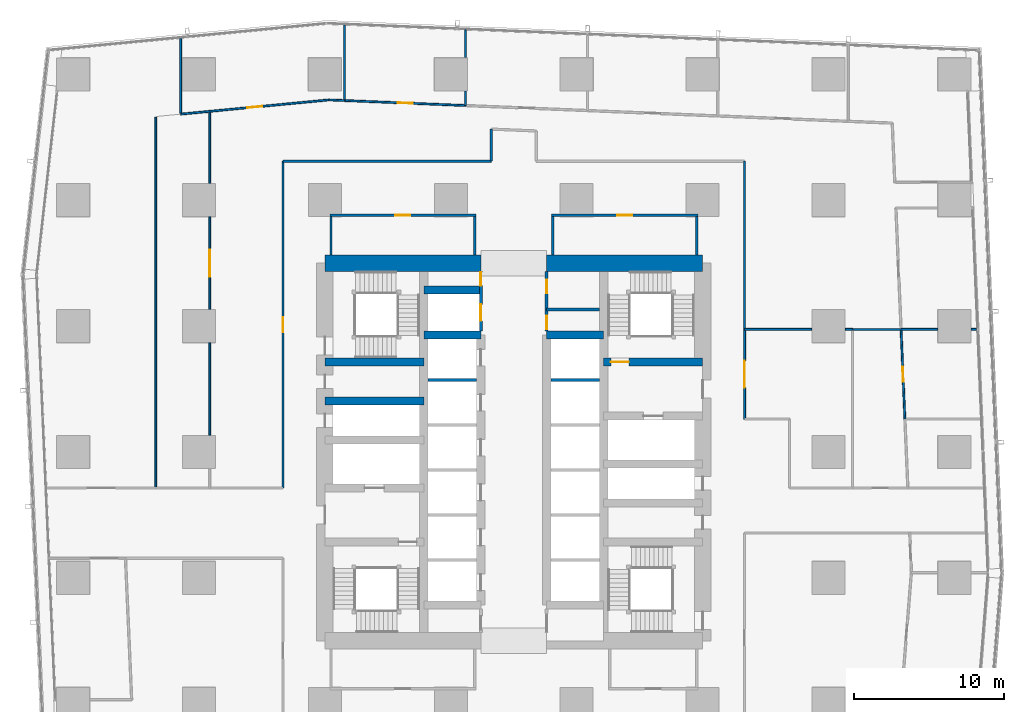
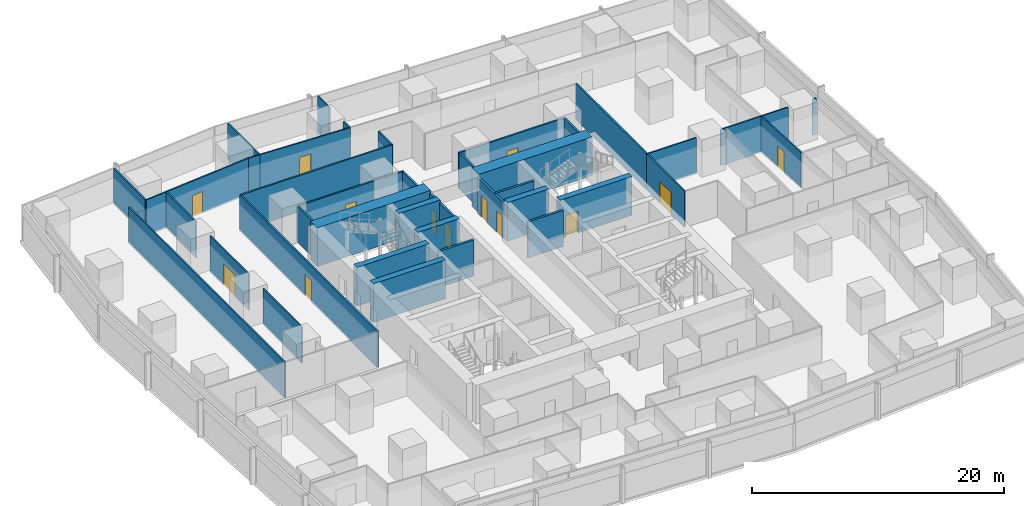
# One storey, part 34 of 44: 41 walls, 13 doors, 13 openings.
"""IFC4 building model written with IfcOpenShell, lengths in metres."""

from ifc_helpers import new_model, si_unit, direction, frame, frame_2d, origin, place, context, subcontext, project, spatial, rectangle, extrude, material, layer, layer_set, type_object, element, fill, save


model = new_model("IFC4")

# Units and contexts
model_context = context("Model", 3, precision=1e-05, world=origin(), true_north=direction((0.0, 1.0)))
body_context = subcontext(model_context, "Body", "Model", "MODEL_VIEW")
ifc_project = project(units=[si_unit("LENGTHUNIT", "METRE"), si_unit("AREAUNIT", "SQUARE_METRE"), si_unit("VOLUMEUNIT", "CUBIC_METRE"), si_unit("PLANEANGLEUNIT", "RADIAN"), si_unit("MASSUNIT", "GRAM", prefix="KILO")], contexts=[model_context])

# Site, building, storey
site_placement = place(None, origin())
site = spatial("IfcSite", under=ifc_project, at=site_placement, CompositionType="ELEMENT")
building_placement = place(site_placement, origin())
building = spatial("IfcBuilding", under=site, at=building_placement, Name="Rekha Terrace Tower", CompositionType="ELEMENT")
storey_placement = place(building_placement, frame((0.0, 0.0, 62.89990234375)))
storey = spatial("IfcBuildingStorey", under=building, at=storey_placement, Name="L15", CompositionType="ELEMENT", Elevation=62.89990234375)

# Walls
ifc_material_1 = material(Name="Concrete M70", Category="concrete")
ifc_layer_1 = layer(ifc_material_1, 0.550048828125)
ifc_layer_set_1 = layer_set([ifc_layer_1], Name="Concrete M70")
wall_type_1 = type_object("IfcWallType", Name="CI1 550 core internal shear wall", PredefinedType="SHEAR", material=ifc_layer_set_1)
for number, where, z_axis, x_axis, name in (
    (1, (31.800048828125, 41.39990234375, 0.0), (0.0, 0.0, 1.0), (1.0, 0.0, 0.0), "Core wall Y414W L15"),
    (2, (31.800048828125, 44.39990234375, 0.0), (0.0, 0.0, 1.0), (1.0, 0.0, 0.0), "Core wall Y444W L15"),
    (3, (40.0, 41.39990234375, 0.0), (0.0, 0.0, 1.0), (1.0, 0.0, 0.0), "Core wall Y414E L15"),
):
    element("IfcWall", number, at=place(storey_placement, frame(where, z_axis=z_axis, x_axis=x_axis)), inside=storey, type_object=wall_type_1, Name=name, PredefinedType="SHEAR", context=body_context, shape_type="SweptSolid", body=[
        extrude(rectangle(XDim=3.800048828125, YDim=0.550048828125, at=frame_2d((1.89990234375, 0.0))), origin(), (0.0, 0.0, 1.0), 3.75),
    ])
for number, where, z_axis, x_axis, name in (
    (4, (25.199951171875, 37.0, 0.0), (0.0, 0.0, 1.0), (1.0, 0.0, 0.0), "Core wall Y370W L15"),
    (5, (25.199951171875, 39.60009765625, 0.0), (0.0, 0.0, 1.0), (1.0, 0.0, 0.0), "Core wall Y396W L15"),
):
    element("IfcWall", number, at=place(storey_placement, frame(where, z_axis=z_axis, x_axis=x_axis)), inside=storey, type_object=wall_type_1, Name=name, PredefinedType="SHEAR", context=body_context, shape_type="SweptSolid", body=[
        extrude(rectangle(XDim=6.60009765625, YDim=0.550048828125, at=frame_2d((3.300048828125, 0.0))), origin(), (0.0, 0.0, 1.0), 3.75),
    ])

# Wall, opening, door
wall_1_placement = place(storey_placement, frame((43.800048828125, 39.60009765625, 0.0), z_axis=(0.0, 0.0, 1.0), x_axis=(1.0, 0.0, 0.0)))
wall_1 = element("IfcWall", 6, at=wall_1_placement, inside=storey, type_object=wall_type_1, Name="Core wall Y396E L15", PredefinedType="SHEAR", context=body_context, shape_type="SweptSolid", body=[
    extrude(rectangle(XDim=6.599853515625, YDim=0.550048828125, at=frame_2d((3.2998046875, 0.0))), origin(), (0.0, 0.0, 1.0), 3.75),
])
opening_1_placement = place(wall_1_placement, frame((0.47509765625, 0.0, 0.0)))
opening_1 = element("IfcOpeningElement", 7, at=opening_1_placement, cuts=wall_1, Name="Opening D1", PredefinedType="OPENING", context=body_context, shape_type="SweptSolid", body=[
    extrude(rectangle(XDim=1.199951171875, YDim=2.10009765625, at=frame_2d((0.60009765625, 1.050048828125))), frame((0.0, 0.284912109375, 0.0), z_axis=(0.0, -1.0, 0.0), x_axis=(1.0, 0.0, 0.0)), (0.0, 0.0, 1.0), 0.570068359375),
])
ifc_material_2 = material(Name="Steel fire door", Category="steel")
door_type_1 = type_object("IfcDoorType", Name="D1 1200x2100 stair fire door", OperationType="SINGLE_SWING_RIGHT", PredefinedType="DOOR", material=ifc_material_2)
door_1_placement = place(opening_1_placement, origin())
door_1 = element("IfcDoor", 8, at=door_1_placement, inside=storey, type_object=door_type_1, Name="Stair ST2 door L15", OperationType="SINGLE_SWING_RIGHT", OverallHeight=2.10009765625, OverallWidth=1.199951171875, PredefinedType="DOOR", context=body_context, shape_type="SweptSolid", body=[
    extrude(rectangle(XDim=1.199951171875, YDim=2.10009765625, at=frame_2d((0.60009765625, 1.050048828125))), frame((0.0, 0.02490234375, 0.0), z_axis=(0.0, -1.0, 0.0), x_axis=(1.0, 0.0, 0.0)), (0.0, 0.0, 1.0), 0.050048828125),
])
fill(opening_1, door_1)

# Walls
ifc_layer_2 = layer(ifc_material_1, 1.10009765625)
ifc_layer_set_2 = layer_set([ifc_layer_2], Name="Concrete M70")
wall_type_2 = type_object("IfcWallType", Name="SW1 1100 core outer shear wall", PredefinedType="SHEAR", material=ifc_layer_set_2)
wall_2_placement = place(storey_placement, frame((25.199951171875, 46.199951171875, 0.0), z_axis=(0.0, 0.0, 1.0), x_axis=(1.0, 0.0, 0.0)))
element("IfcWall", 9, at=wall_2_placement, inside=storey, type_object=wall_type_2, Name="Core wall N1 L15", PredefinedType="SHEAR", context=body_context, shape_type="SweptSolid", body=[
    extrude(rectangle(XDim=10.400146484375, YDim=1.10009765625, at=frame_2d((5.2001953125, 0.0))), origin(), (0.0, 0.0, 1.0), 3.75),
])
wall_3_placement = place(storey_placement, frame((40.0, 46.199951171875, 0.0), z_axis=(0.0, 0.0, 1.0), x_axis=(1.0, 0.0, 0.0)))
element("IfcWall", 10, at=wall_3_placement, inside=storey, type_object=wall_type_2, Name="Core wall N2 L15", PredefinedType="SHEAR", context=body_context, shape_type="SweptSolid", body=[
    extrude(rectangle(XDim=10.39990234375, YDim=1.10009765625, at=frame_2d((5.199951171875, 0.0))), origin(), (0.0, 0.0, 1.0), 3.75),
])

# Wall, opening, door
ifc_material_3 = material(Name="Concrete block masonry, 1 hour", Category="masonry")
ifc_layer_3 = layer(ifc_material_3, 0.14990234375)
ifc_layer_set_3 = layer_set([ifc_layer_3], Name="Concrete block masonry, 1 hour")
wall_type_3 = type_object("IfcWallType", Name="WP2 150 tenancy partition", PredefinedType="PARTITIONING", material=ifc_layer_set_3)
wall_4_placement = place(storey_placement, frame((40.324951171875, 49.39990234375, 0.0), z_axis=(0.0, 0.0, 1.0), x_axis=(1.0, 0.0, 0.0)))
wall_4 = element("IfcWall", 11, at=wall_4_placement, inside=storey, type_object=wall_type_3, Name="Women's WC wall L15", PredefinedType="PARTITIONING", context=body_context, shape_type="SweptSolid", body=[
    extrude(rectangle(XDim=9.75, YDim=0.14990234375, at=frame_2d((4.875, 0.0))), origin(), (0.0, 0.0, 1.0), 3.5),
])
opening_2_placement = place(wall_4_placement, frame((4.375, 0.0, 0.0)))
opening_2 = element("IfcOpeningElement", 12, at=opening_2_placement, cuts=wall_4, Name="Opening D3", PredefinedType="OPENING", context=body_context, shape_type="SweptSolid", body=[
    extrude(rectangle(XDim=1.0, YDim=2.10009765625, at=frame_2d((0.5, 1.050048828125))), frame((0.0, 0.0849609375, 0.0), z_axis=(0.0, -1.0, 0.0), x_axis=(1.0, 0.0, 0.0)), (0.0, 0.0, 1.0), 0.169921875),
])
ifc_material_4 = material(Name="Laminated timber fire door", Category="wood")
door_type_2 = type_object("IfcDoorType", Name="D3 1000x2100 WC door", OperationType="SINGLE_SWING_LEFT", PredefinedType="DOOR", material=ifc_material_4)
door_2_placement = place(opening_2_placement, origin())
door_2 = element("IfcDoor", 13, at=door_2_placement, inside=storey, type_object=door_type_2, Name="Door women's wc L15", OperationType="SINGLE_SWING_LEFT", OverallHeight=2.10009765625, OverallWidth=1.0, PredefinedType="DOOR", context=body_context, shape_type="SweptSolid", body=[
    extrude(rectangle(XDim=1.0, YDim=2.10009765625, at=frame_2d((0.5, 1.050048828125))), frame((0.0, 0.02490234375, 0.0), z_axis=(0.0, -1.0, 0.0), x_axis=(1.0, 0.0, 0.0)), (0.0, 0.0, 1.0), 0.050048828125),
])
fill(opening_2, door_2)

# Walls
for number, where, z_axis, x_axis, name in (
    (14, (40.39990234375, 46.75, 0.0), (0.0, 0.0, 1.0), (0.0, 1.0, 0.0), "Women's WC wall L15"),
    (15, (50.0, 46.75, 0.0), (0.0, 0.0, 1.0), (0.0, 1.0, 0.0), "Women's WC wall L15"),
):
    element("IfcWall", number, at=place(storey_placement, frame(where, z_axis=z_axis, x_axis=x_axis)), inside=storey, type_object=wall_type_3, Name=name, PredefinedType="PARTITIONING", context=body_context, shape_type="SweptSolid", body=[
        extrude(rectangle(XDim=2.574951171875, YDim=0.14990234375, at=frame_2d((1.28759765625, 0.0))), origin(), (0.0, 0.0, 1.0), 3.5),
    ])

# Wall, opening, door
wall_5_placement = place(storey_placement, frame((25.52490234375, 49.39990234375, 0.0), z_axis=(0.0, 0.0, 1.0), x_axis=(1.0, 0.0, 0.0)))
wall_5 = element("IfcWall", 16, at=wall_5_placement, inside=storey, type_object=wall_type_3, Name="Women's WC wall L15", PredefinedType="PARTITIONING", context=body_context, shape_type="SweptSolid", body=[
    extrude(rectangle(XDim=9.75, YDim=0.14990234375, at=frame_2d((4.875, 0.0))), origin(), (0.0, 0.0, 1.0), 3.5),
])
opening_3_placement = place(wall_5_placement, frame((4.375, 0.0, 0.0)))
opening_3 = element("IfcOpeningElement", 17, at=opening_3_placement, cuts=wall_5, Name="Opening D3", PredefinedType="OPENING", context=body_context, shape_type="SweptSolid", body=[
    extrude(rectangle(XDim=1.0, YDim=2.10009765625, at=frame_2d((0.5, 1.050048828125))), frame((0.0, 0.0849609375, 0.0), z_axis=(0.0, -1.0, 0.0), x_axis=(1.0, 0.0, 0.0)), (0.0, 0.0, 1.0), 0.169921875),
])
door_3_placement = place(opening_3_placement, origin())
door_3 = element("IfcDoor", 18, at=door_3_placement, inside=storey, type_object=door_type_2, Name="Door women's wc L15", OperationType="SINGLE_SWING_LEFT", OverallHeight=2.10009765625, OverallWidth=1.0, PredefinedType="DOOR", context=body_context, shape_type="SweptSolid", body=[
    extrude(rectangle(XDim=1.0, YDim=2.10009765625, at=frame_2d((0.5, 1.050048828125))), frame((0.0, 0.02490234375, 0.0), z_axis=(0.0, -1.0, 0.0), x_axis=(1.0, 0.0, 0.0)), (0.0, 0.0, 1.0), 0.050048828125),
])
fill(opening_3, door_3)

# Walls
for number, where, z_axis, x_axis, name in (
    (19, (25.60009765625, 46.75, 0.0), (0.0, 0.0, 1.0), (0.0, 1.0, 0.0), "Women's WC wall L15"),
    (20, (35.199951171875, 46.75, 0.0), (0.0, 0.0, 1.0), (0.0, 1.0, 0.0), "Women's WC wall L15"),
):
    element("IfcWall", number, at=place(storey_placement, frame(where, z_axis=z_axis, x_axis=x_axis)), inside=storey, type_object=wall_type_3, Name=name, PredefinedType="PARTITIONING", context=body_context, shape_type="SweptSolid", body=[
        extrude(rectangle(XDim=2.574951171875, YDim=0.14990234375, at=frame_2d((1.28759765625, 0.0))), origin(), (0.0, 0.0, 1.0), 3.5),
    ])
wall_6_placement = place(storey_placement, frame((60.39990234375, 41.781005859375, 0.0), z_axis=(0.0, 0.0, 1.0), x_axis=(1.0, 0.0, 0.0)))
element("IfcWall", 21, at=wall_6_placement, inside=storey, type_object=wall_type_3, Name="Partition L15-O2", PredefinedType="PARTITIONING", context=body_context, shape_type="SweptSolid", body=[
    extrude(rectangle(XDim=3.239013671875, YDim=0.14990234375, at=frame_2d((1.61962890625, 0.0))), origin(), (0.0, 0.0, 1.0), 3.5),
])
wall_7_placement = place(storey_placement, frame((53.199951171875, 41.781982421875, 0.0), z_axis=(0.0, 0.0, 1.0), x_axis=(0.0, 1.0, 0.0)))
element("IfcWall", 22, at=wall_7_placement, inside=storey, type_object=wall_type_3, Name="Partition L15-O3", PredefinedType="PARTITIONING", context=body_context, shape_type="SweptSolid", body=[
    extrude(rectangle(XDim=11.218017578125, YDim=0.14990234375, at=frame_2d((5.60888671875, 0.0))), origin(), (0.0, 0.0, 1.0), 3.5),
])
wall_8_placement = place(storey_placement, frame((36.300048828125, 55.14208984375, 0.0), z_axis=(0.0, 0.0, 1.0), x_axis=(0.0, -1.0, 0.0)))
element("IfcWall", 23, at=wall_8_placement, inside=storey, type_object=wall_type_3, Name="Partition L15-O3", PredefinedType="PARTITIONING", context=body_context, shape_type="SweptSolid", body=[
    extrude(rectangle(XDim=2.14208984375, YDim=0.14990234375, at=frame_2d((1.071044921875, 0.0))), origin(), (0.0, 0.0, 1.0), 3.5),
])
wall_9_placement = place(storey_placement, frame((36.300048828125, 53.0, 0.0), z_axis=(0.0, 0.0, 1.0), x_axis=(-1.0, 0.0, 0.0)))
element("IfcWall", 24, at=wall_9_placement, inside=storey, type_object=wall_type_3, Name="Partition L15-O3", PredefinedType="PARTITIONING", context=body_context, shape_type="SweptSolid", body=[
    extrude(rectangle(XDim=13.900146484375, YDim=0.14990234375, at=frame_2d((6.9501953125, 0.0))), origin(), (0.0, 0.0, 1.0), 3.5),
])

# Wall, opening, door
wall_10_placement = place(storey_placement, frame((22.39990234375, 53.0, 0.0), z_axis=(0.0, 0.0, 1.0), x_axis=(0.0, -1.0, 0.0)))
wall_10 = element("IfcWall", 25, at=wall_10_placement, inside=storey, type_object=wall_type_3, Name="Partition L15-O3", PredefinedType="PARTITIONING", context=body_context, shape_type="SweptSolid", body=[
    extrude(rectangle(XDim=21.800048828125, YDim=0.14990234375, at=frame_2d((10.89990234375, 0.0))), origin(), (0.0, 0.0, 1.0), 3.5),
])
opening_4_placement = place(wall_10_placement, frame((10.39990234375, 0.0, 0.0)))
opening_4 = element("IfcOpeningElement", 26, at=opening_4_placement, cuts=wall_10, Name="Opening D9", PredefinedType="OPENING", context=body_context, shape_type="SweptSolid", body=[
    extrude(rectangle(XDim=1.0, YDim=2.10009765625, at=frame_2d((0.5, 1.050048828125))), frame((0.0, 0.0849609375, 0.0), z_axis=(0.0, -1.0, 0.0), x_axis=(1.0, 0.0, 0.0)), (0.0, 0.0, 1.0), 0.169921875),
])
ifc_material_5 = material(Name="Timber fire door", Category="wood")
door_type_3 = type_object("IfcDoorType", Name="D9 1000x2100 office door", OperationType="SINGLE_SWING_LEFT", PredefinedType="DOOR", material=ifc_material_5)
door_4_placement = place(opening_4_placement, origin())
door_4 = element("IfcDoor", 27, at=door_4_placement, inside=storey, type_object=door_type_3, Name="Door open-plan office L15", OperationType="SINGLE_SWING_LEFT", OverallHeight=2.10009765625, OverallWidth=1.0, PredefinedType="DOOR", context=body_context, shape_type="SweptSolid", body=[
    extrude(rectangle(XDim=1.0, YDim=2.10009765625, at=frame_2d((0.5, 1.050048828125))), frame((0.0, 0.02490234375, 0.0), z_axis=(0.0, -1.0, 0.0), x_axis=(1.0, 0.0, 0.0)), (0.0, 0.0, 1.0), 0.050048828125),
])
fill(opening_4, door_4)

ifc_material_6 = material(Name="Two layers of fire-rated gypsum board each side on steel studs, acoustic quilt, 1 hour", Category="steel")
ifc_layer_4 = layer(ifc_material_6, 0.125)
ifc_layer_set_4 = layer_set([ifc_layer_4], Name="Two layers of fire-rated gypsum board each side on steel studs, acoustic quilt, 1 hour")
wall_type_4 = type_object("IfcWallType", Name="WP3 125 office partition", PredefinedType="PARTITIONING", material=ifc_layer_set_4)
wall_11_placement = place(storey_placement, frame((63.89404296875, 35.797119140625, 0.0), z_axis=(0.0, 0.0, 1.0), x_axis=(-0.042596960129, 0.999092337568, 0.0)))
wall_11 = element("IfcWall", 28, at=wall_11_placement, inside=storey, type_object=wall_type_4, Name="Partition L15-11", PredefinedType="PARTITIONING", context=body_context, shape_type="SweptSolid", body=[
    extrude(rectangle(XDim=5.9892578125, YDim=0.125, at=frame_2d((2.99462890625, 0.0))), origin(), (0.0, 0.0, 1.0), 3.5),
])
opening_5_placement = place(wall_11_placement, frame((2.4951171875, 0.0, 0.0)))
opening_5 = element("IfcOpeningElement", 29, at=opening_5_placement, cuts=wall_11, Name="Opening D9", PredefinedType="OPENING", context=body_context, shape_type="SweptSolid", body=[
    extrude(rectangle(XDim=1.0, YDim=2.10009765625, at=frame_2d((0.5, 1.050048828125))), frame((0.0, 0.072509765625, 0.0), z_axis=(0.0, -1.0, 0.0), x_axis=(1.0, 0.0, 0.0)), (0.0, 0.0, 1.0), 0.14501953125),
])
door_5_placement = place(opening_5_placement, origin())
door_5 = element("IfcDoor", 30, at=door_5_placement, inside=storey, type_object=door_type_3, Name="Door office L15", OperationType="SINGLE_SWING_LEFT", OverallHeight=2.10009765625, OverallWidth=1.0, PredefinedType="DOOR", context=body_context, shape_type="SweptSolid", body=[
    extrude(rectangle(XDim=1.0, YDim=2.10009765625, at=frame_2d((0.5, 1.050048828125))), frame((0.0, 0.02490234375, 0.0), z_axis=(0.0, -1.0, 0.0), x_axis=(1.0, 0.0, 0.0)), (0.0, 0.0, 1.0), 0.050048828125),
])
fill(opening_5, door_5)

# Walls
wall_12_placement = place(storey_placement, frame((63.638916015625, 41.781005859375, 0.0), z_axis=(0.0, 0.0, 1.0), x_axis=(1.0, 0.0, 0.0)))
element("IfcWall", 31, at=wall_12_placement, inside=storey, type_object=wall_type_4, Name="Partition L15-11", PredefinedType="PARTITIONING", context=body_context, shape_type="SweptSolid", body=[
    extrude(rectangle(XDim=2.441162109375, YDim=0.125, at=frame_2d((1.220703125, 0.0))), origin(), (0.0, 0.0, 1.0), 3.5),
])
wall_13_placement = place(storey_placement, frame((68.320068359375, 41.781005859375, 0.0), z_axis=(0.0, 0.0, 1.0), x_axis=(1.0, 0.0, 0.0)))
element("IfcWall", 32, at=wall_13_placement, inside=storey, type_object=wall_type_4, Name="Partition L15-11", PredefinedType="PARTITIONING", context=body_context, shape_type="SweptSolid", body=[
    extrude(rectangle(XDim=0.343017578125, YDim=0.125, at=frame_2d((0.17138671875, 0.0))), origin(), (0.0, 0.0, 1.0), 3.5),
])
wall_14_placement = place(storey_placement, frame((53.199951171875, 41.781005859375, 0.0), z_axis=(0.0, 0.0, 1.0), x_axis=(1.0, 0.0, 0.0)))
element("IfcWall", 33, at=wall_14_placement, inside=storey, type_object=wall_type_4, Name="Partition L15-12", PredefinedType="PARTITIONING", context=body_context, shape_type="SweptSolid", body=[
    extrude(rectangle(XDim=4.47998046875, YDim=0.125, at=frame_2d((2.239990234375, 0.0))), origin(), (0.0, 0.0, 1.0), 3.5),
])
wall_15_placement = place(storey_placement, frame((59.919921875, 41.781005859375, 0.0), z_axis=(0.0, 0.0, 1.0), x_axis=(1.0, 0.0, 0.0)))
element("IfcWall", 34, at=wall_15_placement, inside=storey, type_object=wall_type_4, Name="Partition L15-12", PredefinedType="PARTITIONING", context=body_context, shape_type="SweptSolid", body=[
    extrude(rectangle(XDim=0.47998046875, YDim=0.125, at=frame_2d((0.239990234375, 0.0))), origin(), (0.0, 0.0, 1.0), 3.5),
])

# Wall, opening, door
wall_16_placement = place(storey_placement, frame((53.199951171875, 35.800048828125, 0.0), z_axis=(0.0, 0.0, 1.0), x_axis=(0.0, 1.0, 0.0)))
wall_16 = element("IfcWall", 35, at=wall_16_placement, inside=storey, type_object=wall_type_4, Name="Partition L15-12", PredefinedType="PARTITIONING", context=body_context, shape_type="SweptSolid", body=[
    extrude(rectangle(XDim=5.98095703125, YDim=0.125, at=frame_2d((2.990478515625, 0.0))), origin(), (0.0, 0.0, 1.0), 3.5),
])
opening_6_placement = place(wall_16_placement, frame((2.090087890625, 0.0, 0.0)))
opening_6 = element("IfcOpeningElement", 36, at=opening_6_placement, cuts=wall_16, Name="Opening D8", PredefinedType="OPENING", context=body_context, shape_type="SweptSolid", body=[
    extrude(rectangle(XDim=1.800048828125, YDim=2.10009765625, at=frame_2d((0.89990234375, 1.050048828125))), frame((0.0, 0.072509765625, 0.0), z_axis=(0.0, -1.0, 0.0), x_axis=(1.0, 0.0, 0.0)), (0.0, 0.0, 1.0), 0.14501953125),
])
door_type_4 = type_object("IfcDoorType", Name="D8 1800x2100 double leaf door", OperationType="DOUBLE_DOOR_SINGLE_SWING", PredefinedType="DOOR", material=ifc_material_5)
door_6_placement = place(opening_6_placement, origin())
door_6 = element("IfcDoor", 37, at=door_6_placement, inside=storey, type_object=door_type_4, Name="Door reception L15", OperationType="DOUBLE_DOOR_SINGLE_SWING", OverallHeight=2.10009765625, OverallWidth=1.800048828125, PredefinedType="DOOR", context=body_context, shape_type="SweptSolid", body=[
    extrude(rectangle(XDim=1.800048828125, YDim=2.10009765625, at=frame_2d((0.89990234375, 1.050048828125))), frame((0.0, 0.02490234375, 0.0), z_axis=(0.0, -1.0, 0.0), x_axis=(1.0, 0.0, 0.0)), (0.0, 0.0, 1.0), 0.050048828125),
])
fill(opening_6, door_6)

# Walls
wall_17_placement = place(storey_placement, frame((34.583984375, 56.714111328125, 0.0), z_axis=(0.0, 0.0, 1.0), x_axis=(0.0, 1.0, 0.0)))
element("IfcWall", 38, at=wall_17_placement, inside=storey, type_object=wall_type_4, Name="Partition L15-17", PredefinedType="PARTITIONING", context=body_context, shape_type="SweptSolid", body=[
    extrude(rectangle(XDim=0.9658203125, YDim=0.125, at=frame_2d((0.48291015625, 0.0))), origin(), (0.0, 0.0, 1.0), 3.5),
])
wall_18_placement = place(storey_placement, frame((34.583984375, 59.919921875, 0.0), z_axis=(0.0, 0.0, 1.0), x_axis=(0.0, 1.0, 0.0)))
element("IfcWall", 39, at=wall_18_placement, inside=storey, type_object=wall_type_4, Name="Partition L15-17", PredefinedType="PARTITIONING", context=body_context, shape_type="SweptSolid", body=[
    extrude(rectangle(XDim=1.84814453125, YDim=0.125, at=frame_2d((0.924072265625, 0.0))), origin(), (0.0, 0.0, 1.0), 3.5),
])

# Wall, opening, door
wall_19_placement = place(storey_placement, frame((34.5830078125, 56.714111328125, 0.0), z_axis=(0.0, 0.0, 1.0), x_axis=(-0.999150320065, 0.041214535234, 0.0)))
wall_19 = element("IfcWall", 40, at=wall_19_placement, inside=storey, type_object=wall_type_4, Name="Partition L15-18", PredefinedType="PARTITIONING", context=body_context, shape_type="SweptSolid", body=[
    extrude(rectangle(XDim=8.079833984375, YDim=0.125, at=frame_2d((4.0400390625, 0.0))), origin(), (0.0, 0.0, 1.0), 3.5),
])
opening_7_placement = place(wall_19_placement, frame((3.5400390625, 0.0, 0.0)))
opening_7 = element("IfcOpeningElement", 41, at=opening_7_placement, cuts=wall_19, Name="Opening D9", PredefinedType="OPENING", context=body_context, shape_type="SweptSolid", body=[
    extrude(rectangle(XDim=1.0, YDim=2.10009765625, at=frame_2d((0.5, 1.050048828125))), frame((0.0, 0.072509765625, 0.0), z_axis=(0.0, -1.0, 0.0), x_axis=(1.0, 0.0, 0.0)), (0.0, 0.0, 1.0), 0.14501953125),
])
door_7_placement = place(opening_7_placement, origin())
door_7 = element("IfcDoor", 42, at=door_7_placement, inside=storey, type_object=door_type_3, Name="Door office L15", OperationType="SINGLE_SWING_LEFT", OverallHeight=2.10009765625, OverallWidth=1.0, PredefinedType="DOOR", context=body_context, shape_type="SweptSolid", body=[
    extrude(rectangle(XDim=1.0, YDim=2.10009765625, at=frame_2d((0.5, 1.050048828125))), frame((0.0, 0.02490234375, 0.0), z_axis=(0.0, -1.0, 0.0), x_axis=(1.0, 0.0, 0.0)), (0.0, 0.0, 1.0), 0.050048828125),
])
fill(opening_7, door_7)

# Walls
wall_20_placement = place(storey_placement, frame((26.510009765625, 57.047119140625, 0.0), z_axis=(0.0, 0.0, 1.0), x_axis=(0.0, 1.0, 0.0)))
element("IfcWall", 43, at=wall_20_placement, inside=storey, type_object=wall_type_4, Name="Partition L15-18", PredefinedType="PARTITIONING", context=body_context, shape_type="SweptSolid", body=[
    extrude(rectangle(XDim=5.02392578125, YDim=0.125, at=frame_2d((2.511962890625, 0.0))), origin(), (0.0, 0.0, 1.0), 3.5),
])
wall_21_placement = place(storey_placement, frame((15.572998046875, 56.201904296875, 0.0), z_axis=(0.0, 0.0, 1.0), x_axis=(0.0, 1.0, 0.0)))
element("IfcWall", 44, at=wall_21_placement, inside=storey, type_object=wall_type_4, Name="Partition L15-19", PredefinedType="PARTITIONING", context=body_context, shape_type="SweptSolid", body=[
    extrude(rectangle(XDim=4.97998046875, YDim=0.125, at=frame_2d((2.489990234375, 0.0))), origin(), (0.0, 0.0, 1.0), 3.5),
])
wall_22_placement = place(storey_placement, frame((26.509033203125, 57.047119140625, 0.0), z_axis=(0.0, 0.0, 1.0), x_axis=(-0.999152420527, 0.041163582868, 0.0)))
element("IfcWall", 45, at=wall_22_placement, inside=storey, type_object=wall_type_4, Name="Partition L15-19", PredefinedType="PARTITIONING", context=body_context, shape_type="SweptSolid", body=[
    extrude(rectangle(XDim=1.0439453125, YDim=0.125, at=frame_2d((0.52197265625, 0.0))), origin(), (0.0, 0.0, 1.0), 3.5),
])

# Wall, opening, door
wall_23_placement = place(storey_placement, frame((25.466064453125, 57.090087890625, 0.0), z_axis=(0.0, 0.0, 1.0), x_axis=(-0.995409839186, -0.09570398138, 0.0)))
wall_23 = element("IfcWall", 46, at=wall_23_placement, inside=storey, type_object=wall_type_4, Name="Partition L15-19", PredefinedType="PARTITIONING", context=body_context, shape_type="SweptSolid", body=[
    extrude(rectangle(XDim=9.938720703125, YDim=0.125, at=frame_2d((4.96923828125, 0.0))), origin(), (0.0, 0.0, 1.0), 3.5),
])
opening_8_placement = place(wall_23_placement, frame((4.468994140625, 0.0, 0.0)))
opening_8 = element("IfcOpeningElement", 47, at=opening_8_placement, cuts=wall_23, Name="Opening D9", PredefinedType="OPENING", context=body_context, shape_type="SweptSolid", body=[
    extrude(rectangle(XDim=1.0, YDim=2.10009765625, at=frame_2d((0.5, 1.050048828125))), frame((0.0, 0.072509765625, 0.0), z_axis=(0.0, -1.0, 0.0), x_axis=(1.0, 0.0, 0.0)), (0.0, 0.0, 1.0), 0.14501953125),
])
door_8_placement = place(opening_8_placement, origin())
door_8 = element("IfcDoor", 48, at=door_8_placement, inside=storey, type_object=door_type_3, Name="Door office L15", OperationType="SINGLE_SWING_LEFT", OverallHeight=2.10009765625, OverallWidth=1.0, PredefinedType="DOOR", context=body_context, shape_type="SweptSolid", body=[
    extrude(rectangle(XDim=1.0, YDim=2.10009765625, at=frame_2d((0.5, 1.050048828125))), frame((0.0, 0.02490234375, 0.0), z_axis=(0.0, -1.0, 0.0), x_axis=(1.0, 0.0, 0.0)), (0.0, 0.0, 1.0), 0.050048828125),
])
fill(opening_8, door_8)

# Walls
wall_24_placement = place(storey_placement, frame((13.9169921875, 55.9169921875, 0.0), z_axis=(0.0, 0.0, 1.0), x_axis=(0.0, -1.0, 0.0)))
element("IfcWall", 49, at=wall_24_placement, inside=storey, type_object=wall_type_4, Name="Partition L15-21", PredefinedType="PARTITIONING", context=body_context, shape_type="SweptSolid", body=[
    extrude(rectangle(XDim=24.717041015625, YDim=0.125, at=frame_2d((12.3583984375, 0.0))), origin(), (0.0, 0.0, 1.0), 3.5),
])
wall_25_placement = place(storey_placement, frame((17.51708984375, 56.262939453125, 0.0), z_axis=(0.0, 0.0, 1.0), x_axis=(0.0, -1.0, 0.0)))
element("IfcWall", 50, at=wall_25_placement, inside=storey, type_object=wall_type_4, Name="Partition L15-22", PredefinedType="PARTITIONING", context=body_context, shape_type="SweptSolid", body=[
    extrude(rectangle(XDim=4.742919921875, YDim=0.125, at=frame_2d((2.37158203125, 0.0))), origin(), (0.0, 0.0, 1.0), 3.5),
])

# Wall, opening, door
wall_26_placement = place(storey_placement, frame((17.51708984375, 49.280029296875, 0.0), z_axis=(0.0, 0.0, 1.0), x_axis=(0.0, -1.0, 0.0)))
wall_26 = element("IfcWall", 51, at=wall_26_placement, inside=storey, type_object=wall_type_4, Name="Partition L15-22", PredefinedType="PARTITIONING", context=body_context, shape_type="SweptSolid", body=[
    extrude(rectangle(XDim=6.159912109375, YDim=0.125, at=frame_2d((3.080078125, 0.0))), origin(), (0.0, 0.0, 1.0), 3.5),
])
opening_9_placement = place(wall_26_placement, frame((2.179931640625, 0.0, 0.0)))
opening_9 = element("IfcOpeningElement", 52, at=opening_9_placement, cuts=wall_26, Name="Opening D8", PredefinedType="OPENING", context=body_context, shape_type="SweptSolid", body=[
    extrude(rectangle(XDim=1.800048828125, YDim=2.10009765625, at=frame_2d((0.89990234375, 1.050048828125))), frame((0.0, 0.072509765625, 0.0), z_axis=(0.0, -1.0, 0.0), x_axis=(1.0, 0.0, 0.0)), (0.0, 0.0, 1.0), 0.14501953125),
])
door_9_placement = place(opening_9_placement, origin())
door_9 = element("IfcDoor", 53, at=door_9_placement, inside=storey, type_object=door_type_4, Name="Door storage room L15", OperationType="DOUBLE_DOOR_SINGLE_SWING", OverallHeight=2.10009765625, OverallWidth=1.800048828125, PredefinedType="DOOR", context=body_context, shape_type="SweptSolid", body=[
    extrude(rectangle(XDim=1.800048828125, YDim=2.10009765625, at=frame_2d((0.89990234375, 1.050048828125))), frame((0.0, 0.02490234375, 0.0), z_axis=(0.0, -1.0, 0.0), x_axis=(1.0, 0.0, 0.0)), (0.0, 0.0, 1.0), 0.050048828125),
])
fill(opening_9, door_9)

# Walls
wall_27_placement = place(storey_placement, frame((17.51708984375, 40.8798828125, 0.0), z_axis=(0.0, 0.0, 1.0), x_axis=(0.0, -1.0, 0.0)))
element("IfcWall", 54, at=wall_27_placement, inside=storey, type_object=wall_type_4, Name="Partition L15-22", PredefinedType="PARTITIONING", context=body_context, shape_type="SweptSolid", body=[
    extrude(rectangle(XDim=6.159912109375, YDim=0.125, at=frame_2d((3.080078125, 0.0))), origin(), (0.0, 0.0, 1.0), 3.5),
])
ifc_material_7 = material(Name="Solid concrete block masonry, 2 hour", Category="masonry")
ifc_layer_5 = layer(ifc_material_7, 0.199951171875)
ifc_layer_set_5 = layer_set([ifc_layer_5], Name="Solid concrete block masonry, 2 hour")
wall_type_5 = type_object("IfcWallType", Name="WS1 200 stair and shaft enclosure", PredefinedType="PARTITIONING", material=ifc_layer_set_5)
for number, where, z_axis, x_axis, name in (
    (55, (32.074951171875, 38.39990234375, 0.0), (0.0, 0.0, 1.0), (1.0, 0.0, 0.0), "Lift shaft divider L15"),
    (56, (40.27490234375, 38.39990234375, 0.0), (0.0, 0.0, 1.0), (1.0, 0.0, 0.0), "Lift shaft divider L15"),
):
    element("IfcWall", number, at=place(storey_placement, frame(where, z_axis=z_axis, x_axis=x_axis)), inside=storey, type_object=wall_type_5, Name=name, PredefinedType="PARTITIONING", context=body_context, shape_type="SweptSolid", body=[
        extrude(rectangle(XDim=3.25, YDim=0.199951171875, at=frame_2d((1.625, 0.0))), origin(), (0.0, 0.0, 1.0), 3.5),
    ])

# Wall, openings, doors
wall_28_placement = place(storey_placement, frame((40.0, 41.675048828125, 0.0), z_axis=(0.0, 0.0, 1.0), x_axis=(0.0, 1.0, 0.0)))
wall_28 = element("IfcWall", 57, at=wall_28_placement, inside=storey, type_object=wall_type_5, Name="Core partition elec L15", PredefinedType="PARTITIONING", context=body_context, shape_type="SweptSolid", body=[
    extrude(rectangle(XDim=3.974853515625, YDim=0.199951171875, at=frame_2d((1.9873046875, 0.0))), origin(), (0.0, 0.0, 1.0), 3.5),
])
opening_10_placement = place(wall_28_placement, frame((2.52490234375, 0.0, 0.0)))
opening_10 = element("IfcOpeningElement", 58, at=opening_10_placement, cuts=wall_28, Name="Opening D5", PredefinedType="OPENING", context=body_context, shape_type="SweptSolid", body=[
    extrude(rectangle(XDim=0.89990234375, YDim=2.10009765625, at=frame_2d((0.449951171875, 1.050048828125))), frame((0.0, 0.10986328125, 0.0), z_axis=(0.0, -1.0, 0.0), x_axis=(1.0, 0.0, 0.0)), (0.0, 0.0, 1.0), 0.219970703125),
])
opening_11_placement = place(wall_28_placement, frame((0.125, 0.0, 0.0)))
opening_11 = element("IfcOpeningElement", 59, at=opening_11_placement, cuts=wall_28, Name="Opening D5", PredefinedType="OPENING", context=body_context, shape_type="SweptSolid", body=[
    extrude(rectangle(XDim=0.89990234375, YDim=2.10009765625, at=frame_2d((0.449951171875, 1.050048828125))), frame((0.0, 0.10986328125, 0.0), z_axis=(0.0, -1.0, 0.0), x_axis=(1.0, 0.0, 0.0)), (0.0, 0.0, 1.0), 0.219970703125),
])
door_type_5 = type_object("IfcDoorType", Name="D5 900x2100 riser access door", OperationType="SINGLE_SWING_LEFT", PredefinedType="DOOR", material=ifc_material_2)
door_10_placement = place(opening_10_placement, origin())
door_10 = element("IfcDoor", 60, at=door_10_placement, inside=storey, type_object=door_type_5, Name="Door electrical room L15", OperationType="SINGLE_SWING_LEFT", OverallHeight=2.10009765625, OverallWidth=0.89990234375, PredefinedType="DOOR", context=body_context, shape_type="SweptSolid", body=[
    extrude(rectangle(XDim=0.89990234375, YDim=2.10009765625, at=frame_2d((0.449951171875, 1.050048828125))), frame((0.0, 0.02490234375, 0.0), z_axis=(0.0, -1.0, 0.0), x_axis=(1.0, 0.0, 0.0)), (0.0, 0.0, 1.0), 0.050048828125),
])
fill(opening_10, door_10)
door_11_placement = place(opening_11_placement, origin())
door_11 = element("IfcDoor", 61, at=door_11_placement, inside=storey, type_object=door_type_5, Name="Door mother's room L15", OperationType="SINGLE_SWING_LEFT", OverallHeight=2.10009765625, OverallWidth=0.89990234375, PredefinedType="DOOR", context=body_context, shape_type="SweptSolid", body=[
    extrude(rectangle(XDim=0.89990234375, YDim=2.10009765625, at=frame_2d((0.449951171875, 1.050048828125))), frame((0.0, 0.02490234375, 0.0), z_axis=(0.0, -1.0, 0.0), x_axis=(1.0, 0.0, 0.0)), (0.0, 0.0, 1.0), 0.050048828125),
])
fill(opening_11, door_11)

wall_29_placement = place(storey_placement, frame((35.60009765625, 41.675048828125, 0.0), z_axis=(0.0, 0.0, 1.0), x_axis=(0.0, 1.0, 0.0)))
wall_29 = element("IfcWall", 62, at=wall_29_placement, inside=storey, type_object=wall_type_5, Name="Core partition jansv L15", PredefinedType="PARTITIONING", context=body_context, shape_type="SweptSolid", body=[
    extrude(rectangle(XDim=3.974853515625, YDim=0.199951171875, at=frame_2d((1.9873046875, 0.0))), origin(), (0.0, 0.0, 1.0), 3.5),
])
opening_12_placement = place(wall_29_placement, frame((3.02490234375, 0.0, 0.0)))
opening_12 = element("IfcOpeningElement", 63, at=opening_12_placement, cuts=wall_29, Name="Opening D5", PredefinedType="OPENING", context=body_context, shape_type="SweptSolid", body=[
    extrude(rectangle(XDim=0.89990234375, YDim=2.10009765625, at=frame_2d((0.449951171875, 1.050048828125))), frame((0.0, 0.10986328125, 0.0), z_axis=(0.0, -1.0, 0.0), x_axis=(1.0, 0.0, 0.0)), (0.0, 0.0, 1.0), 0.219970703125),
])
opening_13_placement = place(wall_29_placement, frame((0.675048828125, 0.0, 0.0)))
opening_13 = element("IfcOpeningElement", 64, at=opening_13_placement, cuts=wall_29, Name="Opening LD1", PredefinedType="OPENING", context=body_context, shape_type="SweptSolid", body=[
    extrude(rectangle(XDim=1.10009765625, YDim=2.10009765625, at=frame_2d((0.550048828125, 1.050048828125))), frame((0.0, 0.10986328125, 0.0), z_axis=(0.0, -1.0, 0.0), x_axis=(1.0, 0.0, 0.0)), (0.0, 0.0, 1.0), 0.219970703125),
])
door_12_placement = place(opening_12_placement, origin())
door_12 = element("IfcDoor", 65, at=door_12_placement, inside=storey, type_object=door_type_5, Name="Door janitor room L15", OperationType="SINGLE_SWING_LEFT", OverallHeight=2.10009765625, OverallWidth=0.89990234375, PredefinedType="DOOR", context=body_context, shape_type="SweptSolid", body=[
    extrude(rectangle(XDim=0.89990234375, YDim=2.10009765625, at=frame_2d((0.449951171875, 1.050048828125))), frame((0.0, 0.02490234375, 0.0), z_axis=(0.0, -1.0, 0.0), x_axis=(1.0, 0.0, 0.0)), (0.0, 0.0, 1.0), 0.050048828125),
])
fill(opening_12, door_12)
ifc_material_8 = material(Name="Stainless steel sliding landing door", Category="steel")
door_type_6 = type_object("IfcDoorType", Name="LD1 1100x2100 lift landing door", OperationType="SLIDING_TO_LEFT", PredefinedType="USERDEFINED", material=ifc_material_8)
door_13_placement = place(opening_13_placement, origin())
door_13 = element("IfcDoor", 66, at=door_13_placement, inside=storey, type_object=door_type_6, Name="Lift SV1 landing door L15", ObjectType="LIFT LANDING DOOR", OperationType="SLIDING_TO_LEFT", OverallHeight=2.10009765625, OverallWidth=1.10009765625, PredefinedType="USERDEFINED", context=body_context, shape_type="SweptSolid", body=[
    extrude(rectangle(XDim=1.10009765625, YDim=2.10009765625, at=frame_2d((0.550048828125, 1.050048828125))), frame((0.0, 0.02490234375, 0.0), z_axis=(0.0, -1.0, 0.0), x_axis=(1.0, 0.0, 0.0)), (0.0, 0.0, 1.0), 0.050048828125),
])
fill(opening_13, door_13)

# Wall
wall_30_placement = place(storey_placement, frame((40.0, 43.10009765625, 0.0), z_axis=(0.0, 0.0, 1.0), x_axis=(1.0, 0.0, 0.0)))
element("IfcWall", 67, at=wall_30_placement, inside=storey, type_object=wall_type_5, Name="Core partition elx L15", PredefinedType="PARTITIONING", context=body_context, shape_type="SweptSolid", body=[
    extrude(rectangle(XDim=3.52490234375, YDim=0.199951171875, at=frame_2d((1.762451171875, 0.0))), origin(), (0.0, 0.0, 1.0), 3.5),
])

save(model, "model.ifc")
